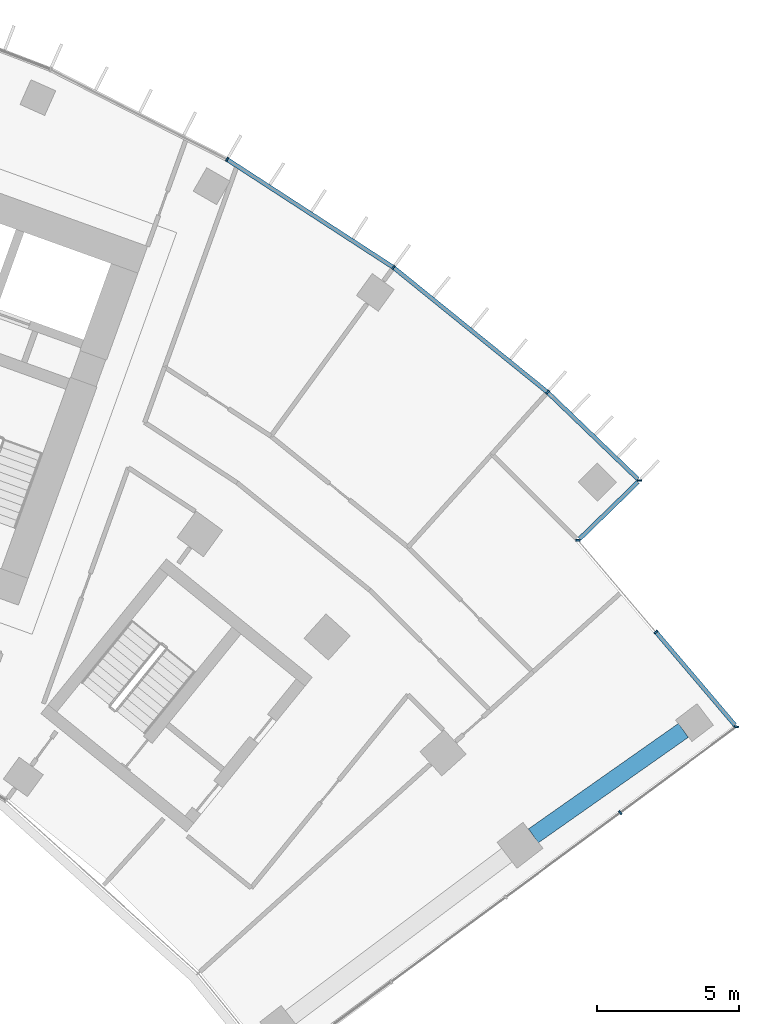
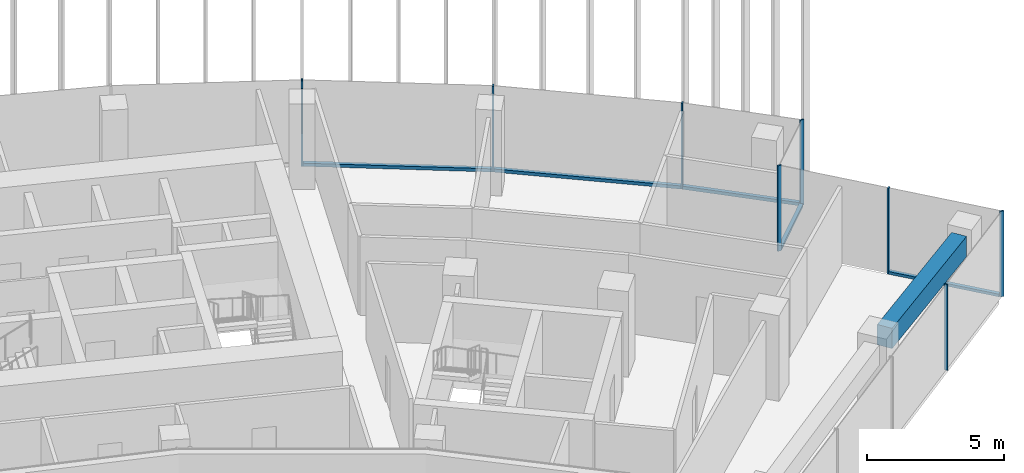
# One storey, part 8 of 20: 13 members, 1 beam, 4 elements without a shape of their own.
"""IFC4 building model written with IfcOpenShell, lengths in metres."""

from ifc_helpers import new_model, si_unit, direction, frame, origin, origin_2d, place, context, subcontext, project, spatial, rectangle, extrude, material, layer, layer_set, material_profile, profile_set, type_object, element, aggregate, save


model = new_model("IFC4")

# Units and contexts
model_context = context("Model", 3, precision=1e-05, world=origin(), true_north=direction((0.0, 1.0)))
body_context = subcontext(model_context, "Body", "Model", "MODEL_VIEW")
ifc_project = project(units=[si_unit("LENGTHUNIT", "METRE"), si_unit("AREAUNIT", "SQUARE_METRE"), si_unit("VOLUMEUNIT", "CUBIC_METRE"), si_unit("PLANEANGLEUNIT", "RADIAN"), si_unit("MASSUNIT", "GRAM", prefix="KILO")], contexts=[model_context])

# Site, building, storey
site_placement = place(None, origin())
site = spatial("IfcSite", under=ifc_project, at=site_placement, CompositionType="ELEMENT")
building_placement = place(site_placement, origin())
building = spatial("IfcBuilding", under=site, at=building_placement, Name="Stone Belt Terrace Tower", CompositionType="ELEMENT")
storey_placement = place(building_placement, frame((0.0, 0.0, 201.0)))
storey = spatial("IfcBuildingStorey", under=building, at=storey_placement, Name="L48", CompositionType="ELEMENT", Elevation=201.0)

# Curtain wall, members
ifc_material_1 = material(Name="Aluminium 6063-T6 anodised frame", Category="aluminium")
ifc_layer_1 = layer(ifc_material_1, 0.14990234375)
ifc_layer_set_1 = layer_set([ifc_layer_1], Name="CW-A unitised convex-face curtain wall")
curtain_wall_type_1 = type_object("IfcCurtainWallType", Name="CW-A unitised convex-face curtain wall", PredefinedType="NOTDEFINED", material=ifc_layer_set_1)
curtain_wall_1_placement = place(storey_placement, origin())
curtain_wall_1 = element("IfcCurtainWall", 1, at=curtain_wall_1_placement, inside=storey, type_object=curtain_wall_type_1, Name="CW-A convex face L48", PredefinedType="NOTDEFINED")
ifc_material_profile_1 = material_profile(ifc_material_1, rectangle(XDim=0.14990234375, YDim=0.06005859375, at=origin_2d()), Name="Aluminium 6063-T6 60x150")
ifc_profile_set_1 = profile_set([ifc_material_profile_1], Name="Aluminium 6063-T6 anodised frame")
member_type_1 = type_object("IfcMemberType", Name="CW-A mullion 60 x 150", PredefinedType="MULLION", material=ifc_profile_set_1)
member_1_placement = place(storey_placement, frame((47.775390625, 46.369140625, 0.0), z_axis=(0.0, 0.0, 1.0), x_axis=(-0.999996264646, -0.002733257028, 0.0)))
member_1 = element("IfcMember", 2, at=member_1_placement, type_object=member_type_1, Name="CW-A mullion 1", PredefinedType="MULLION", context=body_context, shape_type="SweptSolid", body=[
    extrude(rectangle(XDim=0.14990234375, YDim=0.06005859375, at=origin_2d()), origin(), (0.0, 0.0, 1.0), 3.800048828125),
])
member_2_placement = place(storey_placement, frame((44.546875, 49.475341796875, 0.0), z_axis=(0.0, 0.0, 1.0), x_axis=(-0.661937409618, -0.749559114245, 0.0)))
member_2 = element("IfcMember", 3, at=member_2_placement, type_object=member_type_1, Name="CW-A mullion 2", PredefinedType="MULLION", context=body_context, shape_type="SweptSolid", body=[
    extrude(rectangle(XDim=0.14990234375, YDim=0.06005859375, at=origin_2d()), origin(), (0.0, 0.0, 1.0), 3.800048828125),
])
member_3_placement = place(storey_placement, frame((39.1318359375, 53.8603515625, 0.0), z_axis=(0.0, 0.0, 1.0), x_axis=(-0.587785252292, -0.809016994375, 0.0)))
member_3 = element("IfcMember", 4, at=member_3_placement, type_object=member_type_1, Name="CW-A mullion 3", PredefinedType="MULLION", context=body_context, shape_type="SweptSolid", body=[
    extrude(rectangle(XDim=0.14990234375, YDim=0.06005859375, at=origin_2d()), origin(), (0.0, 0.0, 1.0), 3.800048828125),
])
member_4_placement = place(storey_placement, frame((33.28759765625, 57.65576171875, 0.0), z_axis=(0.0, 0.0, 1.0), x_axis=(-0.5, -0.866025403784, 0.0)))
member_4 = element("IfcMember", 5, at=member_4_placement, type_object=member_type_1, Name="CW-A mullion 4", PredefinedType="MULLION", context=body_context, shape_type="SweptSolid", body=[
    extrude(rectangle(XDim=0.14990234375, YDim=0.06005859375, at=origin_2d()), origin(), (0.0, 0.0, 1.0), 3.800048828125),
])
ifc_material_profile_2 = material_profile(ifc_material_1, rectangle(XDim=0.14990234375, YDim=0.139892578125, at=origin_2d()), Name="Aluminium 6063-T6 150x140")
ifc_profile_set_2 = profile_set([ifc_material_profile_2], Name="Aluminium 6063-T6 anodised frame")
member_type_2 = type_object("IfcMemberType", Name="CW-A transom 140 x 150", PredefinedType="USERDEFINED", material=ifc_profile_set_2)
member_5_placement = place(storey_placement, frame((47.721435546875, 46.4208984375, 0.070068359375), z_axis=(-0.720600183576, 0.693350831419, 0.0), x_axis=(-0.693350831419, -0.720600183576, 0.0)))
member_5 = element("IfcMember", 6, at=member_5_placement, type_object=member_type_2, Name="CW-A transom 1.1", ObjectType="TRANSOM", PredefinedType="USERDEFINED", context=body_context, shape_type="SweptSolid", body=[
    extrude(rectangle(XDim=0.14990234375, YDim=0.139892578125, at=origin_2d()), origin(), (0.0, 0.0, 1.0), 4.372314453125),
])
member_6_placement = place(storey_placement, frame((44.52099609375, 49.496337890625, 0.070068359375), z_axis=(-0.777141048626, 0.629326457842, 0.0), x_axis=(-0.629326457842, -0.777141048626, 0.0)))
member_6 = element("IfcMember", 7, at=member_6_placement, type_object=member_type_2, Name="CW-A transom 2.1", ObjectType="TRANSOM", PredefinedType="USERDEFINED", context=body_context, shape_type="SweptSolid", body=[
    extrude(rectangle(XDim=0.14990234375, YDim=0.139892578125, at=origin_2d()), origin(), (0.0, 0.0, 1.0), 6.900634765625),
])
member_7_placement = place(storey_placement, frame((39.103515625, 53.87890625, 0.070068359375), z_axis=(-0.83868440714, 0.544617723931, 0.0), x_axis=(-0.544617723931, -0.83868440714, 0.0)))
member_7 = element("IfcMember", 8, at=member_7_placement, type_object=member_type_2, Name="CW-A transom 3.1", ObjectType="TRANSOM", PredefinedType="USERDEFINED", context=body_context, shape_type="SweptSolid", body=[
    extrude(rectangle(XDim=0.14990234375, YDim=0.139892578125, at=origin_2d()), origin(), (0.0, 0.0, 1.0), 6.90087890625),
])
aggregate(curtain_wall_1, [member_1, member_2, member_3, member_4, member_5, member_6, member_7])

# Curtain wall, member
ifc_layer_2 = layer(ifc_material_1, 0.14990234375)
ifc_layer_set_2 = layer_set([ifc_layer_2], Name="CW-C stick curtain wall, horn ends and notches")
curtain_wall_type_2 = type_object("IfcCurtainWallType", Name="CW-C stick curtain wall, horn ends and notches", PredefinedType="NOTDEFINED", material=ifc_layer_set_2)
curtain_wall_2_placement = place(storey_placement, origin())
curtain_wall_2 = element("IfcCurtainWall", 9, at=curtain_wall_2_placement, inside=storey, type_object=curtain_wall_type_2, Name="CW-C end face L48", PredefinedType="NOTDEFINED")
ifc_material_profile_3 = material_profile(ifc_material_1, rectangle(XDim=0.14990234375, YDim=0.06005859375, at=origin_2d()), Name="Aluminium 6063-T6 60x150")
ifc_profile_set_3 = profile_set([ifc_material_profile_3], Name="Aluminium 6063-T6 anodised frame")
member_type_3 = type_object("IfcMemberType", Name="CW-C mullion 60 x 150", PredefinedType="MULLION", material=ifc_profile_set_3)
member_8_placement = place(storey_placement, frame((47.097900390625, 34.699462890625, 0.0), z_axis=(0.0, 0.0, 1.0), x_axis=(-0.594184091865, 0.804329077539, 0.0)))
member_8 = element("IfcMember", 10, at=member_8_placement, type_object=member_type_3, Name="CW-C mullion 4", PredefinedType="MULLION", context=body_context, shape_type="SweptSolid", body=[
    extrude(rectangle(XDim=0.14990234375, YDim=0.06005859375, at=origin_2d()), origin(), (0.0, 0.0, 1.0), 3.800048828125),
])
aggregate(curtain_wall_2, [member_8])

# Curtain wall, members
curtain_wall_3_placement = place(storey_placement, origin())
curtain_wall_3 = element("IfcCurtainWall", 11, at=curtain_wall_3_placement, inside=storey, type_object=curtain_wall_type_2, Name="CW-C notch face L48", PredefinedType="NOTDEFINED")
member_9_placement = place(storey_placement, frame((51.18408203125, 37.718017578125, 0.0), z_axis=(0.0, 0.0, 1.0), x_axis=(-0.993358853918, 0.115057321987, 0.0)))
member_9 = element("IfcMember", 12, at=member_9_placement, type_object=member_type_3, Name="CW-C mullion 1", PredefinedType="MULLION", context=body_context, shape_type="SweptSolid", body=[
    extrude(rectangle(XDim=0.14990234375, YDim=0.06005859375, at=origin_2d()), origin(), (0.0, 0.0, 1.0), 3.800048828125),
])
member_10_placement = place(storey_placement, frame((48.35302734375, 41.052490234375, 0.0), z_axis=(0.0, 0.0, 1.0), x_axis=(-0.762310954743, -0.647210945735, 0.0)))
member_10 = element("IfcMember", 13, at=member_10_placement, type_object=member_type_3, Name="CW-C mullion 2", PredefinedType="MULLION", context=body_context, shape_type="SweptSolid", body=[
    extrude(rectangle(XDim=0.14990234375, YDim=0.06005859375, at=origin_2d()), origin(), (0.0, 0.0, 1.0), 3.800048828125),
])

# Curtain wall, member
curtain_wall_4_placement = place(storey_placement, origin())
curtain_wall_4 = element("IfcCurtainWall", 14, at=curtain_wall_4_placement, inside=storey, type_object=curtain_wall_type_2, Name="CW-C notch face L48", PredefinedType="NOTDEFINED")
member_11_placement = place(storey_placement, frame((45.61962890625, 44.27197265625, 0.0), z_axis=(0.0, 0.0, 1.0), x_axis=(-0.998865261612, 0.047625509398, 0.0)))
member_11 = element("IfcMember", 15, at=member_11_placement, type_object=member_type_3, Name="CW-C mullion 1", PredefinedType="MULLION", context=body_context, shape_type="SweptSolid", body=[
    extrude(rectangle(XDim=0.14990234375, YDim=0.06005859375, at=origin_2d()), origin(), (0.0, 0.0, 1.0), 3.800048828125),
])

# Member
ifc_material_profile_4 = material_profile(ifc_material_1, rectangle(XDim=0.14990234375, YDim=0.1201171875, at=origin_2d()), Name="Aluminium 6063-T6 150x120")
ifc_profile_set_4 = profile_set([ifc_material_profile_4], Name="Aluminium 6063-T6 anodised frame")
member_type_4 = type_object("IfcMemberType", Name="CW-C transom 120 x 150", PredefinedType="USERDEFINED", material=ifc_profile_set_4)
member_12_placement = place(storey_placement, frame((51.13525390625, 37.775390625, 0.06005859375), z_axis=(-0.647195078608, 0.762324425836, 0.0), x_axis=(-0.762324425836, -0.647195078608, 0.0)))
member_12 = element("IfcMember", 16, at=member_12_placement, type_object=member_type_4, Name="CW-C transom 1.1", ObjectType="TRANSOM", PredefinedType="USERDEFINED", context=body_context, shape_type="SweptSolid", body=[
    extrude(rectangle(XDim=0.14990234375, YDim=0.1201171875, at=origin_2d()), origin(), (0.0, 0.0, 1.0), 4.268798828125),
])

aggregate(curtain_wall_3, [member_9, member_10, member_12])

member_13_placement = place(storey_placement, frame((45.671875, 44.322998046875, 0.06005859375), z_axis=(0.716814728684, 0.697263683797, 0.0), x_axis=(-0.697263683797, 0.716814728684, 0.0)))
member_13 = element("IfcMember", 17, at=member_13_placement, type_object=member_type_4, Name="CW-C transom 1.1", ObjectType="TRANSOM", PredefinedType="USERDEFINED", context=body_context, shape_type="SweptSolid", body=[
    extrude(rectangle(XDim=0.14990234375, YDim=0.1201171875, at=origin_2d()), origin(), (0.0, 0.0, 1.0), 2.859619140625),
])

aggregate(curtain_wall_4, [member_11, member_13])

# Beam
ifc_material_2 = material(Name="Concrete B60", Category="concrete")
ifc_material_profile_5 = material_profile(ifc_material_2, rectangle(XDim=0.60009765625, YDim=0.89990234375, at=origin_2d()), Name="RC 600x900")
ifc_profile_set_5 = profile_set([ifc_material_profile_5], Name="Concrete B60")
beam_type = type_object("IfcBeamType", Name="Edge beam RC 600x900 B60", PredefinedType="SPANDREL", material=ifc_profile_set_5)
beam_placement = place(storey_placement, frame((44.049560546875, 33.885498046875, 3.030029296875), z_axis=(0.817996569297, 0.575223098126, 0.0), x_axis=(-0.575223098126, 0.817996569297, 0.0)))
element("IfcBeam", 18, at=beam_placement, inside=storey, type_object=beam_type, Name="Edge beam L48 B Q to R", PredefinedType="SPANDREL", context=body_context, shape_type="SweptSolid", body=[
    extrude(rectangle(XDim=0.60009765625, YDim=0.89990234375, at=origin_2d()), origin(), (0.0, 0.0, 1.0), 6.444091796875),
])

save(model, "model.ifc")
